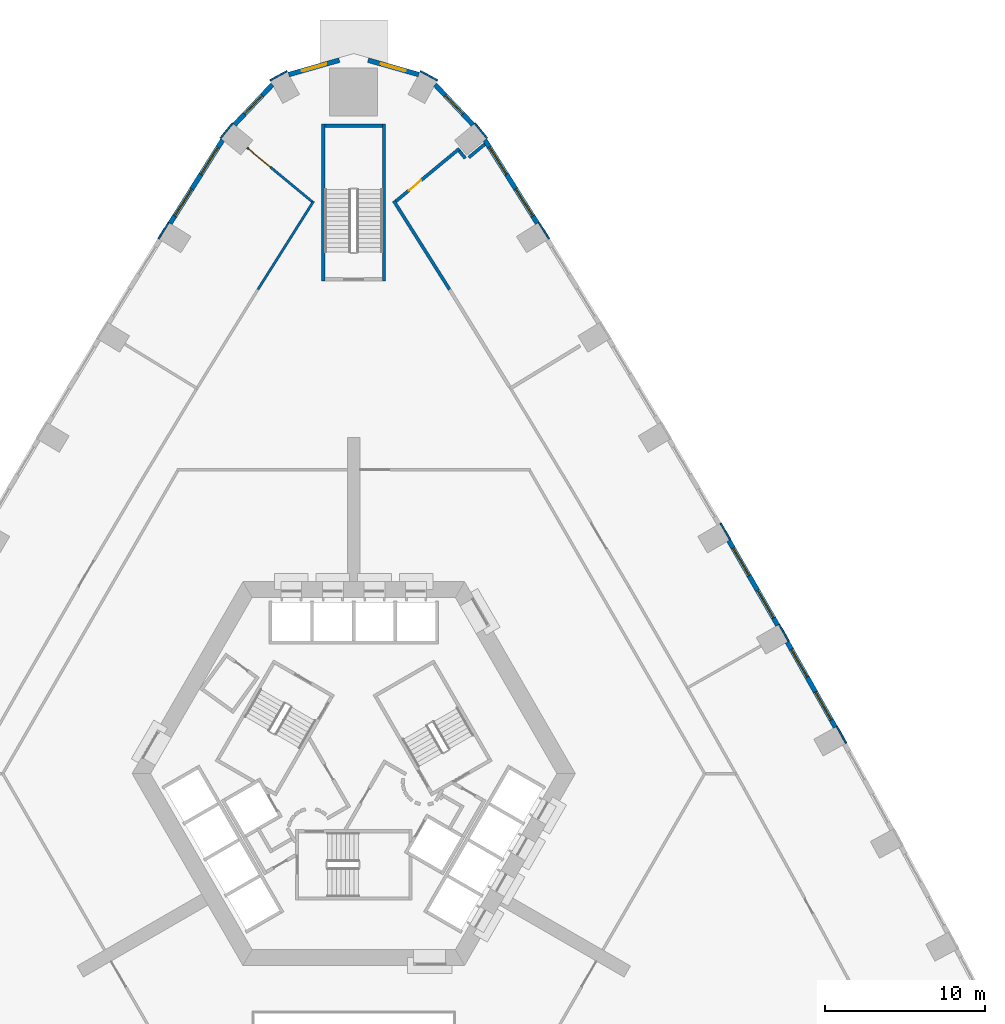
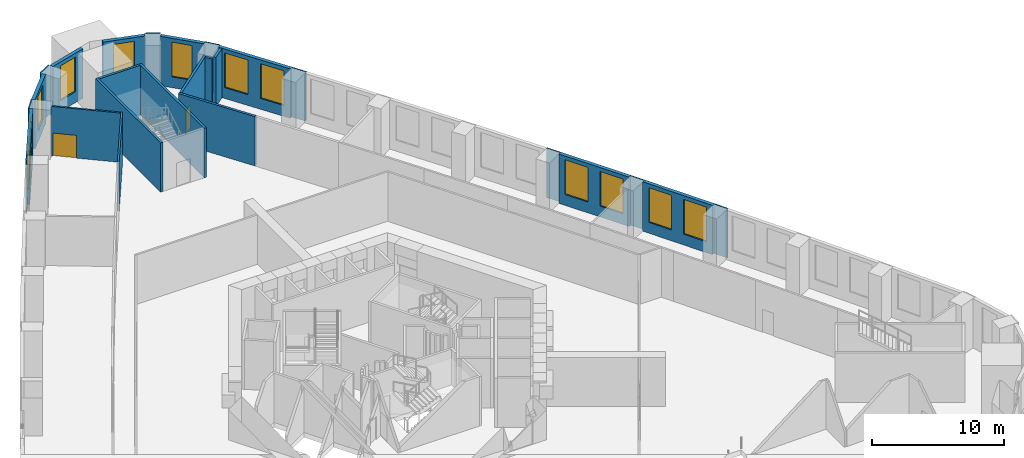
# One storey, part 8 of 16: 26 walls, 12 windows, 2 doors, 14 openings.
"""IFC4 building model written with IfcOpenShell, lengths in metres."""

from ifc_helpers import new_model, si_unit, direction, frame, frame_2d, origin, place, context, subcontext, project, spatial, rectangle, extrude, material, layer, layer_set, type_object, element, fill, save


model = new_model("IFC4")

# Units and contexts
model_context = context("Model", 3, precision=1e-05, world=origin(), true_north=direction((0.0, 1.0)))
body_context = subcontext(model_context, "Body", "Model", "MODEL_VIEW")
ifc_project = project(units=[si_unit("LENGTHUNIT", "METRE"), si_unit("AREAUNIT", "SQUARE_METRE"), si_unit("VOLUMEUNIT", "CUBIC_METRE"), si_unit("PLANEANGLEUNIT", "RADIAN"), si_unit("MASSUNIT", "GRAM", prefix="KILO")], contexts=[model_context])

# Site, building, storey
site_placement = place(None, origin())
site = spatial("IfcSite", under=ifc_project, at=site_placement, CompositionType="ELEMENT")
building_placement = place(site_placement, origin())
building = spatial("IfcBuilding", under=site, at=building_placement, Name="Entoto Arch Interchange Tower", CompositionType="ELEMENT")
storey_placement = place(building_placement, frame((0.0, 0.0, 20.0)))
storey = spatial("IfcBuildingStorey", under=building, at=storey_placement, Name="L03", CompositionType="ELEMENT", Elevation=20.0)

# Wall
ifc_material_1 = material(Name="Gypsum board partition on steel studs", Category="steel")
ifc_layer_1 = layer(ifc_material_1, 0.14990234375)
ifc_layer_set_1 = layer_set([ifc_layer_1], Name="Gypsum board partition on steel studs")
wall_type_1 = type_object("IfcWallType", Name="PARTITION 150", PredefinedType="PARTITIONING", material=ifc_layer_set_1)
wall_1_placement = place(storey_placement, frame((-2.513916015625, 38.280029296875, 0.0), z_axis=(0.0, 0.0, 1.0), x_axis=(-0.533358613661, -0.845889229884, 0.0)))
element("IfcWall", 1, at=wall_1_placement, inside=storey, type_object=wall_type_1, Name="wall:L03:p057", PredefinedType="PARTITIONING", context=body_context, shape_type="SweptSolid", body=[
    extrude(rectangle(XDim=6.517333984375, YDim=0.14990234375, at=frame_2d((3.2587890625, 0.0))), origin(), (0.0, 0.0, 1.0), 4.550048828125),
])

# Wall, opening, door
wall_2_placement = place(storey_placement, frame((-6.6669921875, 41.62109375, 0.0), z_axis=(0.0, 0.0, 1.0), x_axis=(0.770357397594, -0.637612327336, 0.0)))
wall_2 = element("IfcWall", 2, at=wall_2_placement, inside=storey, type_object=wall_type_1, Name="wall:L03:p059", PredefinedType="PARTITIONING", context=body_context, shape_type="SweptSolid", body=[
    extrude(rectangle(XDim=5.263671875, YDim=0.14990234375, at=frame_2d((2.6318359375, 0.0))), origin(), (0.0, 0.0, 1.0), 4.550048828125),
])
opening_1_placement = place(wall_2_placement, frame((0.10009765625, 0.0, 0.0)))
opening_1 = element("IfcOpeningElement", 3, at=opening_1_placement, cuts=wall_2, Name="Opening L03-D09", PredefinedType="OPENING", context=body_context, shape_type="SweptSolid", body=[
    extrude(rectangle(XDim=1.800048828125, YDim=2.10009765625, at=frame_2d((0.89990234375, 1.050048828125))), frame((0.0, 0.0849609375, 0.0), z_axis=(0.0, -1.0, 0.0), x_axis=(1.0, 0.0, 0.0)), (0.0, 0.0, 1.0), 0.169921875),
])
ifc_material_2 = material(Name="Timber door leaf in Steel S235 frame", Category="steel")
door_type_1 = type_object("IfcDoorType", Name="DOOR DD-18 1800x2100", OperationType="DOUBLE_DOOR_SINGLE_SWING", PredefinedType="DOOR", material=ifc_material_2)
door_1_placement = place(opening_1_placement, origin())
door_1 = element("IfcDoor", 4, at=door_1_placement, inside=storey, type_object=door_type_1, Name="door:L03:09", OperationType="DOUBLE_DOOR_SINGLE_SWING", OverallHeight=2.10009765625, OverallWidth=1.800048828125, PredefinedType="DOOR", context=body_context, shape_type="SweptSolid", body=[
    extrude(rectangle(XDim=1.800048828125, YDim=2.10009765625, at=frame_2d((0.89990234375, 1.050048828125))), frame((0.0, 0.02490234375, 0.0), z_axis=(0.0, -1.0, 0.0), x_axis=(1.0, 0.0, 0.0)), (0.0, 0.0, 1.0), 0.050048828125),
])
fill(opening_1, door_1)

# Wall
ifc_layer_2 = layer(ifc_material_1, 0.199951171875)
ifc_layer_set_2 = layer_set([ifc_layer_2], Name="Gypsum board partition on steel studs")
wall_type_2 = type_object("IfcWallType", Name="PARTITION 200", PredefinedType="PARTITIONING", material=ifc_layer_set_2)
wall_3_placement = place(storey_placement, frame((5.989990234375, 32.76708984375, 0.0), z_axis=(0.0, 0.0, 1.0), x_axis=(-0.533258548208, 0.845952315892, 0.0)))
element("IfcWall", 5, at=wall_3_placement, inside=storey, type_object=wall_type_2, Name="wall:L03:p051", PredefinedType="PARTITIONING", context=body_context, shape_type="SweptSolid", body=[
    extrude(rectangle(XDim=6.542724609375, YDim=0.199951171875, at=frame_2d((3.271484375, 0.0))), origin(), (0.0, 0.0, 1.0), 4.550048828125),
])

# Wall, opening, door
wall_4_placement = place(storey_placement, frame((2.631103515625, 38.281005859375, 0.0), z_axis=(0.0, 0.0, 1.0), x_axis=(0.770346235272, 0.637625813312, 0.0)))
wall_4 = element("IfcWall", 6, at=wall_4_placement, inside=storey, type_object=wall_type_2, Name="wall:L03:p052", PredefinedType="PARTITIONING", context=body_context, shape_type="SweptSolid", body=[
    extrude(rectangle(XDim=5.159912109375, YDim=0.199951171875, at=frame_2d((2.580078125, 0.0))), origin(), (0.0, 0.0, 1.0), 4.550048828125),
])
opening_2_placement = place(wall_4_placement, frame((1.05810546875, 0.0, 0.0)))
opening_2 = element("IfcOpeningElement", 7, at=opening_2_placement, cuts=wall_4, Name="Opening L03-D08", PredefinedType="OPENING", context=body_context, shape_type="SweptSolid", body=[
    extrude(rectangle(XDim=1.0, YDim=2.10009765625, at=frame_2d((0.5, 1.050048828125))), frame((0.0, 0.10986328125, 0.0), z_axis=(0.0, -1.0, 0.0), x_axis=(1.0, 0.0, 0.0)), (0.0, 0.0, 1.0), 0.219970703125),
])
door_type_2 = type_object("IfcDoorType", Name="DOOR DS-10 1000x2100", OperationType="SINGLE_SWING_LEFT", PredefinedType="DOOR", material=ifc_material_2)
door_2_placement = place(opening_2_placement, origin())
door_2 = element("IfcDoor", 8, at=door_2_placement, inside=storey, type_object=door_type_2, Name="door:L03:08", OperationType="SINGLE_SWING_LEFT", OverallHeight=2.10009765625, OverallWidth=1.0, PredefinedType="DOOR", context=body_context, shape_type="SweptSolid", body=[
    extrude(rectangle(XDim=1.0, YDim=2.10009765625, at=frame_2d((0.5, 1.050048828125))), frame((0.0, 0.02490234375, 0.0), z_axis=(0.0, -1.0, 0.0), x_axis=(1.0, 0.0, 0.0)), (0.0, 0.0, 1.0), 0.050048828125),
])
fill(opening_2, door_2)

# Walls
wall_5_placement = place(storey_placement, frame((6.593017578125, 41.429931640625, 0.0), z_axis=(0.0, 0.0, 1.0), x_axis=(0.636576557089, -0.771213515808, 0.0)))
element("IfcWall", 9, at=wall_5_placement, inside=storey, type_object=wall_type_2, Name="wall:L03:p053", PredefinedType="PARTITIONING", context=body_context, shape_type="SweptSolid", body=[
    extrude(rectangle(XDim=0.60009765625, YDim=0.199951171875, at=frame_2d((0.300048828125, 0.0))), origin(), (0.0, 0.0, 1.0), 4.550048828125),
])
wall_6_placement = place(storey_placement, frame((7.193115234375, 41.01806640625, 0.0), z_axis=(0.0, 0.0, 1.0), x_axis=(0.77046149962, 0.637486531311, 0.0)))
element("IfcWall", 10, at=wall_6_placement, inside=storey, type_object=wall_type_2, Name="wall:L03:p054", PredefinedType="PARTITIONING", context=body_context, shape_type="SweptSolid", body=[
    extrude(rectangle(XDim=1.29248046875, YDim=0.199951171875, at=frame_2d((0.646240234375, 0.0))), origin(), (0.0, 0.0, 1.0), 4.550048828125),
])
ifc_material_3 = material(Name="Concrete C40/50", Category="concrete")
ifc_layer_3 = layer(ifc_material_3, 0.199951171875)
ifc_layer_set_3 = layer_set([ifc_layer_3], Name="Concrete C40/50")
wall_type_3 = type_object("IfcWallType", Name="STAIR ENCLOSURE WALL 200", PredefinedType="STANDARD", material=ifc_layer_set_3)
for number, where, z_axis, x_axis, name in (
    (11, (1.89990234375, 33.300048828125, 0.0), (0.0, 0.0, 1.0), (0.0, 1.0, 0.0), "Stair wall PST-N left"),
    (12, (-1.89990234375, 33.300048828125, 0.0), (0.0, 0.0, 1.0), (0.0, 1.0, 0.0), "Stair wall PST-N right"),
):
    element("IfcWall", number, at=place(storey_placement, frame(where, z_axis=z_axis, x_axis=x_axis)), inside=storey, type_object=wall_type_3, Name=name, PredefinedType="STANDARD", context=body_context, shape_type="SweptSolid", body=[
        extrude(rectangle(XDim=9.800048828125, YDim=0.199951171875, at=frame_2d((4.89990234375, 0.0))), origin(), (0.0, 0.0, 1.0), 4.550048828125),
    ])
wall_7_placement = place(storey_placement, frame((1.800048828125, 43.0, 0.0), z_axis=(0.0, 0.0, 1.0), x_axis=(-1.0, 0.0, 0.0)))
element("IfcWall", 13, at=wall_7_placement, inside=storey, type_object=wall_type_3, Name="Stair wall PST-N far", PredefinedType="STANDARD", context=body_context, shape_type="SweptSolid", body=[
    extrude(rectangle(XDim=3.60009765625, YDim=0.199951171875, at=frame_2d((1.800048828125, 0.0))), origin(), (0.0, 0.0, 1.0), 4.550048828125),
])

# Wall, openings, windows
ifc_material_4 = material(Name="Welded tuff (ignimbrite) cladding, warm buff", Category="masonry")
ifc_layer_4 = layer(ifc_material_4, 0.300048828125)
ifc_layer_set_4 = layer_set([ifc_layer_4], Name="Welded tuff (ignimbrite) cladding, warm buff")
wall_type_4 = type_object("IfcWallType", Name="STONE INFILL WALL 300", PredefinedType="STANDARD", material=ifc_layer_set_4)
wall_8_placement = place(storey_placement, frame((30.111083984375, 5.39892578125, 0.0), z_axis=(0.0, 0.0, 1.0), x_axis=(-0.491661677717, 0.870786308267, 0.0)))
wall_8 = element("IfcWall", 14, at=wall_8_placement, inside=storey, type_object=wall_type_4, Name="Facade wall NE-04 L03", PredefinedType="STANDARD", context=body_context, shape_type="SweptSolid", body=[
    extrude(rectangle(XDim=6.1220703125, YDim=0.300048828125, at=frame_2d((3.06103515625, 0.0))), origin(), (0.0, 0.0, 1.0), 4.550048828125),
])
opening_3_placement = place(wall_8_placement, frame((0.531005859375, 0.0, 1.0)))
opening_3 = element("IfcOpeningElement", 15, at=opening_3_placement, cuts=wall_8, Name="Opening WP-E", PredefinedType="OPENING", context=body_context, shape_type="SweptSolid", body=[
    extrude(rectangle(XDim=2.0, YDim=3.199951171875, at=frame_2d((1.0, 1.60009765625))), frame((0.0, 0.16015625, 0.0), z_axis=(0.0, -1.0, 0.0), x_axis=(1.0, 0.0, 0.0)), (0.0, 0.0, 1.0), 0.320068359375),
])
opening_4_placement = place(wall_8_placement, frame((3.592041015625, 0.0, 1.0)))
opening_4 = element("IfcOpeningElement", 16, at=opening_4_placement, cuts=wall_8, Name="Opening WP-E", PredefinedType="OPENING", context=body_context, shape_type="SweptSolid", body=[
    extrude(rectangle(XDim=2.0, YDim=3.199951171875, at=frame_2d((1.0, 1.60009765625))), frame((0.0, 0.16015625, 0.0), z_axis=(0.0, -1.0, 0.0), x_axis=(1.0, 0.0, 0.0)), (0.0, 0.0, 1.0), 0.320068359375),
])
ifc_material_5 = material(Name="Clear glass, low-e double glazed", Category="glass")
window_type_1 = type_object("IfcWindowType", Name="WINDOW WP-E 2000x3200", PartitioningType="DOUBLE_PANEL_VERTICAL", PredefinedType="WINDOW", material=ifc_material_5)
window_1_placement = place(opening_3_placement, origin())
window_1 = element("IfcWindow", 17, at=window_1_placement, inside=storey, type_object=window_type_1, Name="Window WP-E NE-04 L03", OverallHeight=3.199951171875, OverallWidth=2.0, PartitioningType="SINGLE_PANEL", PredefinedType="WINDOW", context=body_context, shape_type="SweptSolid", body=[
    extrude(rectangle(XDim=2.0, YDim=3.199951171875, at=frame_2d((1.0, 1.60009765625))), frame((0.0, 0.030029296875, 0.0), z_axis=(0.0, -1.0, 0.0), x_axis=(1.0, 0.0, 0.0)), (0.0, 0.0, 1.0), 0.06005859375),
])
fill(opening_3, window_1)
window_2_placement = place(opening_4_placement, origin())
window_2 = element("IfcWindow", 18, at=window_2_placement, inside=storey, type_object=window_type_1, Name="Window WP-E NE-04 L03", OverallHeight=3.199951171875, OverallWidth=2.0, PartitioningType="SINGLE_PANEL", PredefinedType="WINDOW", context=body_context, shape_type="SweptSolid", body=[
    extrude(rectangle(XDim=2.0, YDim=3.199951171875, at=frame_2d((1.0, 1.60009765625))), frame((0.0, 0.030029296875, 0.0), z_axis=(0.0, -1.0, 0.0), x_axis=(1.0, 0.0, 0.0)), (0.0, 0.0, 1.0), 0.06005859375),
])
fill(opening_4, window_2)

wall_9_placement = place(storey_placement, frame((26.507080078125, 11.77001953125, 0.0), z_axis=(0.0, 0.0, 1.0), x_axis=(-0.499939977436, 0.866060055055, 0.0)))
wall_9 = element("IfcWall", 19, at=wall_9_placement, inside=storey, type_object=wall_type_4, Name="Facade wall NE-05 L03", PredefinedType="STANDARD", context=body_context, shape_type="SweptSolid", body=[
    extrude(rectangle(XDim=6.120849609375, YDim=0.300048828125, at=frame_2d((3.060546875, 0.0))), origin(), (0.0, 0.0, 1.0), 4.550048828125),
])
opening_5_placement = place(wall_9_placement, frame((0.530029296875, 0.0, 1.0)))
opening_5 = element("IfcOpeningElement", 20, at=opening_5_placement, cuts=wall_9, Name="Opening WP-E", PredefinedType="OPENING", context=body_context, shape_type="SweptSolid", body=[
    extrude(rectangle(XDim=2.0, YDim=3.199951171875, at=frame_2d((1.0, 1.60009765625))), frame((0.0, 0.16015625, 0.0), z_axis=(0.0, -1.0, 0.0), x_axis=(1.0, 0.0, 0.0)), (0.0, 0.0, 1.0), 0.320068359375),
])
opening_6_placement = place(wall_9_placement, frame((3.591064453125, 0.0, 1.0)))
opening_6 = element("IfcOpeningElement", 21, at=opening_6_placement, cuts=wall_9, Name="Opening WP-E", PredefinedType="OPENING", context=body_context, shape_type="SweptSolid", body=[
    extrude(rectangle(XDim=2.0, YDim=3.199951171875, at=frame_2d((1.0, 1.60009765625))), frame((0.0, 0.16015625, 0.0), z_axis=(0.0, -1.0, 0.0), x_axis=(1.0, 0.0, 0.0)), (0.0, 0.0, 1.0), 0.320068359375),
])
window_3_placement = place(opening_5_placement, origin())
window_3 = element("IfcWindow", 22, at=window_3_placement, inside=storey, type_object=window_type_1, Name="Window WP-E NE-05 L03", OverallHeight=3.199951171875, OverallWidth=2.0, PartitioningType="SINGLE_PANEL", PredefinedType="WINDOW", context=body_context, shape_type="SweptSolid", body=[
    extrude(rectangle(XDim=2.0, YDim=3.199951171875, at=frame_2d((1.0, 1.60009765625))), frame((0.0, 0.030029296875, 0.0), z_axis=(0.0, -1.0, 0.0), x_axis=(1.0, 0.0, 0.0)), (0.0, 0.0, 1.0), 0.06005859375),
])
fill(opening_5, window_3)
window_4_placement = place(opening_6_placement, origin())
window_4 = element("IfcWindow", 23, at=window_4_placement, inside=storey, type_object=window_type_1, Name="Window WP-E NE-05 L03", OverallHeight=3.199951171875, OverallWidth=2.0, PartitioningType="SINGLE_PANEL", PredefinedType="WINDOW", context=body_context, shape_type="SweptSolid", body=[
    extrude(rectangle(XDim=2.0, YDim=3.199951171875, at=frame_2d((1.0, 1.60009765625))), frame((0.0, 0.030029296875, 0.0), z_axis=(0.0, -1.0, 0.0), x_axis=(1.0, 0.0, 0.0)), (0.0, 0.0, 1.0), 0.06005859375),
])
fill(opening_6, window_4)

wall_10_placement = place(storey_placement, frame((11.48291015625, 36.89697265625, 0.0), z_axis=(0.0, 0.0, 1.0), x_axis=(-0.53304020879, 0.846089910006, 0.0)))
wall_10 = element("IfcWall", 24, at=wall_10_placement, inside=storey, type_object=wall_type_4, Name="Facade wall NE-09 L03", PredefinedType="STANDARD", context=body_context, shape_type="SweptSolid", body=[
    extrude(rectangle(XDim=6.16259765625, YDim=0.300048828125, at=frame_2d((3.081298828125, 0.0))), origin(), (0.0, 0.0, 1.0), 4.550048828125),
])
opening_7_placement = place(wall_10_placement, frame((0.541015625, 0.0, 1.0)))
opening_7 = element("IfcOpeningElement", 25, at=opening_7_placement, cuts=wall_10, Name="Opening WP-E", PredefinedType="OPENING", context=body_context, shape_type="SweptSolid", body=[
    extrude(rectangle(XDim=2.0, YDim=3.199951171875, at=frame_2d((1.0, 1.60009765625))), frame((0.0, 0.16015625, 0.0), z_axis=(0.0, -1.0, 0.0), x_axis=(1.0, 0.0, 0.0)), (0.0, 0.0, 1.0), 0.320068359375),
])
opening_8_placement = place(wall_10_placement, frame((3.6220703125, 0.0, 1.0)))
opening_8 = element("IfcOpeningElement", 26, at=opening_8_placement, cuts=wall_10, Name="Opening WP-E", PredefinedType="OPENING", context=body_context, shape_type="SweptSolid", body=[
    extrude(rectangle(XDim=2.0, YDim=3.199951171875, at=frame_2d((1.0, 1.60009765625))), frame((0.0, 0.16015625, 0.0), z_axis=(0.0, -1.0, 0.0), x_axis=(1.0, 0.0, 0.0)), (0.0, 0.0, 1.0), 0.320068359375),
])
window_5_placement = place(opening_7_placement, origin())
window_5 = element("IfcWindow", 27, at=window_5_placement, inside=storey, type_object=window_type_1, Name="Window WP-E NE-09 L03", OverallHeight=3.199951171875, OverallWidth=2.0, PartitioningType="SINGLE_PANEL", PredefinedType="WINDOW", context=body_context, shape_type="SweptSolid", body=[
    extrude(rectangle(XDim=2.0, YDim=3.199951171875, at=frame_2d((1.0, 1.60009765625))), frame((0.0, 0.030029296875, 0.0), z_axis=(0.0, -1.0, 0.0), x_axis=(1.0, 0.0, 0.0)), (0.0, 0.0, 1.0), 0.06005859375),
])
fill(opening_7, window_5)
window_6_placement = place(opening_8_placement, origin())
window_6 = element("IfcWindow", 28, at=window_6_placement, inside=storey, type_object=window_type_1, Name="Window WP-E NE-09 L03", OverallHeight=3.199951171875, OverallWidth=2.0, PartitioningType="SINGLE_PANEL", PredefinedType="WINDOW", context=body_context, shape_type="SweptSolid", body=[
    extrude(rectangle(XDim=2.0, YDim=3.199951171875, at=frame_2d((1.0, 1.60009765625))), frame((0.0, 0.030029296875, 0.0), z_axis=(0.0, -1.0, 0.0), x_axis=(1.0, 0.0, 0.0)), (0.0, 0.0, 1.0), 0.06005859375),
])
fill(opening_8, window_6)

# Wall, opening, window
wall_11_placement = place(storey_placement, frame((7.464111328125, 43.05810546875, 0.0), z_axis=(0.0, 0.0, 1.0), x_axis=(-0.687081126245, 0.726580708495, 0.0)))
wall_11 = element("IfcWall", 29, at=wall_11_placement, inside=storey, type_object=wall_type_4, Name="Facade wall N-01 L03", PredefinedType="STANDARD", context=body_context, shape_type="SweptSolid", body=[
    extrude(rectangle(XDim=3.461181640625, YDim=0.300048828125, at=frame_2d((1.73046875, 0.0))), origin(), (0.0, 0.0, 1.0), 4.550048828125),
])
opening_9_placement = place(wall_11_placement, frame((0.930908203125, 0.0, 1.0)))
opening_9 = element("IfcOpeningElement", 30, at=opening_9_placement, cuts=wall_11, Name="Opening WP-C", PredefinedType="OPENING", context=body_context, shape_type="SweptSolid", body=[
    extrude(rectangle(XDim=1.60009765625, YDim=3.199951171875, at=frame_2d((0.800048828125, 1.60009765625))), frame((0.0, 0.16015625, 0.0), z_axis=(0.0, -1.0, 0.0), x_axis=(1.0, 0.0, 0.0)), (0.0, 0.0, 1.0), 0.320068359375),
])
window_type_2 = type_object("IfcWindowType", Name="WINDOW WP-C 1600x3200", PartitioningType="DOUBLE_PANEL_VERTICAL", PredefinedType="WINDOW", material=ifc_material_5)
window_7_placement = place(opening_9_placement, origin())
window_7 = element("IfcWindow", 31, at=window_7_placement, inside=storey, type_object=window_type_2, Name="Window WP-C N-01 L03", OverallHeight=3.199951171875, OverallWidth=1.60009765625, PartitioningType="SINGLE_PANEL", PredefinedType="WINDOW", context=body_context, shape_type="SweptSolid", body=[
    extrude(rectangle(XDim=1.60009765625, YDim=3.199951171875, at=frame_2d((0.800048828125, 1.60009765625))), frame((0.0, 0.030029296875, 0.0), z_axis=(0.0, -1.0, 0.0), x_axis=(1.0, 0.0, 0.0)), (0.0, 0.0, 1.0), 0.06005859375),
])
fill(opening_9, window_7)

wall_12_placement = place(storey_placement, frame((4.06396484375, 46.201904296875, 0.0), z_axis=(0.0, 0.0, 1.0), x_axis=(-0.961934470867, 0.273280211062, 0.0)))
wall_12 = element("IfcWall", 32, at=wall_12_placement, inside=storey, type_object=wall_type_4, Name="Facade wall N-02 L03", PredefinedType="STANDARD", context=body_context, shape_type="SweptSolid", body=[
    extrude(rectangle(XDim=3.290283203125, YDim=0.300048828125, at=frame_2d((1.64501953125, 0.0))), origin(), (0.0, 0.0, 1.0), 4.550048828125),
])
opening_10_placement = place(wall_12_placement, frame((0.844970703125, 0.0, 1.0)))
opening_10 = element("IfcOpeningElement", 33, at=opening_10_placement, cuts=wall_12, Name="Opening WP-C", PredefinedType="OPENING", context=body_context, shape_type="SweptSolid", body=[
    extrude(rectangle(XDim=1.60009765625, YDim=3.199951171875, at=frame_2d((0.800048828125, 1.60009765625))), frame((0.0, 0.16015625, 0.0), z_axis=(0.0, -1.0, 0.0), x_axis=(1.0, 0.0, 0.0)), (0.0, 0.0, 1.0), 0.320068359375),
])
window_8_placement = place(opening_10_placement, origin())
window_8 = element("IfcWindow", 34, at=window_8_placement, inside=storey, type_object=window_type_2, Name="Window WP-C N-02 L03", OverallHeight=3.199951171875, OverallWidth=1.60009765625, PartitioningType="SINGLE_PANEL", PredefinedType="WINDOW", context=body_context, shape_type="SweptSolid", body=[
    extrude(rectangle(XDim=1.60009765625, YDim=3.199951171875, at=frame_2d((0.800048828125, 1.60009765625))), frame((0.0, 0.030029296875, 0.0), z_axis=(0.0, -1.0, 0.0), x_axis=(1.0, 0.0, 0.0)), (0.0, 0.0, 1.0), 0.06005859375),
])
fill(opening_10, window_8)

wall_13_placement = place(storey_placement, frame((-0.89892578125, 47.10107421875, 0.0), z_axis=(0.0, 0.0, 1.0), x_axis=(-0.961934470867, -0.273280211062, 0.0)))
wall_13 = element("IfcWall", 35, at=wall_13_placement, inside=storey, type_object=wall_type_4, Name="Facade wall N-03 L03", PredefinedType="STANDARD", context=body_context, shape_type="SweptSolid", body=[
    extrude(rectangle(XDim=3.290283203125, YDim=0.300048828125, at=frame_2d((1.64501953125, 0.0))), origin(), (0.0, 0.0, 1.0), 4.550048828125),
])
opening_11_placement = place(wall_13_placement, frame((0.844970703125, 0.0, 1.0)))
opening_11 = element("IfcOpeningElement", 36, at=opening_11_placement, cuts=wall_13, Name="Opening WP-C", PredefinedType="OPENING", context=body_context, shape_type="SweptSolid", body=[
    extrude(rectangle(XDim=1.60009765625, YDim=3.199951171875, at=frame_2d((0.800048828125, 1.60009765625))), frame((0.0, 0.16015625, 0.0), z_axis=(0.0, -1.0, 0.0), x_axis=(1.0, 0.0, 0.0)), (0.0, 0.0, 1.0), 0.320068359375),
])
window_9_placement = place(opening_11_placement, origin())
window_9 = element("IfcWindow", 37, at=window_9_placement, inside=storey, type_object=window_type_2, Name="Window WP-C N-03 L03", OverallHeight=3.199951171875, OverallWidth=1.60009765625, PartitioningType="SINGLE_PANEL", PredefinedType="WINDOW", context=body_context, shape_type="SweptSolid", body=[
    extrude(rectangle(XDim=1.60009765625, YDim=3.199951171875, at=frame_2d((0.800048828125, 1.60009765625))), frame((0.0, 0.030029296875, 0.0), z_axis=(0.0, -1.0, 0.0), x_axis=(1.0, 0.0, 0.0)), (0.0, 0.0, 1.0), 0.06005859375),
])
fill(opening_11, window_9)

wall_14_placement = place(storey_placement, frame((-5.0859375, 45.572998046875, 0.0), z_axis=(0.0, 0.0, 1.0), x_axis=(-0.687081126245, -0.726580708495, 0.0)))
wall_14 = element("IfcWall", 38, at=wall_14_placement, inside=storey, type_object=wall_type_4, Name="Facade wall N-04 L03", PredefinedType="STANDARD", context=body_context, shape_type="SweptSolid", body=[
    extrude(rectangle(XDim=3.461181640625, YDim=0.300048828125, at=frame_2d((1.73046875, 0.0))), origin(), (0.0, 0.0, 1.0), 4.550048828125),
])
opening_12_placement = place(wall_14_placement, frame((0.930908203125, 0.0, 1.0)))
opening_12 = element("IfcOpeningElement", 39, at=opening_12_placement, cuts=wall_14, Name="Opening WP-C", PredefinedType="OPENING", context=body_context, shape_type="SweptSolid", body=[
    extrude(rectangle(XDim=1.60009765625, YDim=3.199951171875, at=frame_2d((0.800048828125, 1.60009765625))), frame((0.0, 0.16015625, 0.0), z_axis=(0.0, -1.0, 0.0), x_axis=(1.0, 0.0, 0.0)), (0.0, 0.0, 1.0), 0.320068359375),
])
window_10_placement = place(opening_12_placement, origin())
window_10 = element("IfcWindow", 40, at=window_10_placement, inside=storey, type_object=window_type_2, Name="Window WP-C N-04 L03", OverallHeight=3.199951171875, OverallWidth=1.60009765625, PartitioningType="SINGLE_PANEL", PredefinedType="WINDOW", context=body_context, shape_type="SweptSolid", body=[
    extrude(rectangle(XDim=1.60009765625, YDim=3.199951171875, at=frame_2d((0.800048828125, 1.60009765625))), frame((0.0, 0.030029296875, 0.0), z_axis=(0.0, -1.0, 0.0), x_axis=(1.0, 0.0, 0.0)), (0.0, 0.0, 1.0), 0.06005859375),
])
fill(opening_12, window_10)

# Wall, openings, windows
wall_15_placement = place(storey_placement, frame((-8.197998046875, 42.111083984375, 0.0), z_axis=(0.0, 0.0, 1.0), x_axis=(-0.53304020879, -0.846089910006, 0.0)))
wall_15 = element("IfcWall", 41, at=wall_15_placement, inside=storey, type_object=wall_type_4, Name="Facade wall NW-01 L03", PredefinedType="STANDARD", context=body_context, shape_type="SweptSolid", body=[
    extrude(rectangle(XDim=6.16259765625, YDim=0.300048828125, at=frame_2d((3.081298828125, 0.0))), origin(), (0.0, 0.0, 1.0), 4.550048828125),
])
opening_13_placement = place(wall_15_placement, frame((0.541015625, 0.0, 1.0)))
opening_13 = element("IfcOpeningElement", 42, at=opening_13_placement, cuts=wall_15, Name="Opening WP-E", PredefinedType="OPENING", context=body_context, shape_type="SweptSolid", body=[
    extrude(rectangle(XDim=2.0, YDim=3.199951171875, at=frame_2d((1.0, 1.60009765625))), frame((0.0, 0.16015625, 0.0), z_axis=(0.0, -1.0, 0.0), x_axis=(1.0, 0.0, 0.0)), (0.0, 0.0, 1.0), 0.320068359375),
])
opening_14_placement = place(wall_15_placement, frame((3.6220703125, 0.0, 1.0)))
opening_14 = element("IfcOpeningElement", 43, at=opening_14_placement, cuts=wall_15, Name="Opening WP-E", PredefinedType="OPENING", context=body_context, shape_type="SweptSolid", body=[
    extrude(rectangle(XDim=2.0, YDim=3.199951171875, at=frame_2d((1.0, 1.60009765625))), frame((0.0, 0.16015625, 0.0), z_axis=(0.0, -1.0, 0.0), x_axis=(1.0, 0.0, 0.0)), (0.0, 0.0, 1.0), 0.320068359375),
])
window_11_placement = place(opening_13_placement, origin())
window_11 = element("IfcWindow", 44, at=window_11_placement, inside=storey, type_object=window_type_1, Name="Window WP-E NW-01 L03", OverallHeight=3.199951171875, OverallWidth=2.0, PartitioningType="SINGLE_PANEL", PredefinedType="WINDOW", context=body_context, shape_type="SweptSolid", body=[
    extrude(rectangle(XDim=2.0, YDim=3.199951171875, at=frame_2d((1.0, 1.60009765625))), frame((0.0, 0.030029296875, 0.0), z_axis=(0.0, -1.0, 0.0), x_axis=(1.0, 0.0, 0.0)), (0.0, 0.0, 1.0), 0.06005859375),
])
fill(opening_13, window_11)
window_12_placement = place(opening_14_placement, origin())
window_12 = element("IfcWindow", 45, at=window_12_placement, inside=storey, type_object=window_type_1, Name="Window WP-E NW-01 L03", OverallHeight=3.199951171875, OverallWidth=2.0, PartitioningType="SINGLE_PANEL", PredefinedType="WINDOW", context=body_context, shape_type="SweptSolid", body=[
    extrude(rectangle(XDim=2.0, YDim=3.199951171875, at=frame_2d((1.0, 1.60009765625))), frame((0.0, 0.030029296875, 0.0), z_axis=(0.0, -1.0, 0.0), x_axis=(1.0, 0.0, 0.0)), (0.0, 0.0, 1.0), 0.06005859375),
])
fill(opening_14, window_12)

# Walls
ifc_layer_5 = layer(ifc_material_4, 0.10009765625)
ifc_layer_set_5 = layer_set([ifc_layer_5], Name="Welded tuff (ignimbrite) cladding, warm buff")
wall_type_5 = type_object("IfcWallType", Name="STONE PIER CLADDING 100", PredefinedType="STANDARD", material=ifc_layer_set_5)
for number, where, z_axis, x_axis, name in (
    (46, (5.23095703125, 45.8369140625, 0.0), (0.0, 0.0, 1.0), (-0.877069725045, 0.480363089141, 0.0), "Stone pier N1 L03"),
    (47, (-4.178955078125, 46.4130859375, 0.0), (0.0, 0.0, 1.0), (-0.877069725045, -0.480363089141, 0.0), "Stone pier N3 L03"),
):
    element("IfcWall", number, at=place(storey_placement, frame(where, z_axis=z_axis, x_axis=x_axis)), inside=storey, type_object=wall_type_5, Name=name, PredefinedType="STANDARD", context=body_context, shape_type="SweptSolid", body=[
        extrude(rectangle(XDim=1.199462890625, YDim=0.10009765625, at=frame_2d((0.599609375, 0.0))), origin(), (0.0, 0.0, 1.0), 4.550048828125),
    ])
wall_16_placement = place(storey_placement, frame((30.783935546875, 4.402099609375, 0.0), z_axis=(0.0, 0.0, 1.0), x_axis=(-0.486817526853, 0.873503689488, 0.0)))
element("IfcWall", 48, at=wall_16_placement, inside=storey, type_object=wall_type_5, Name="Stone pier NE04 L03", PredefinedType="STANDARD", context=body_context, shape_type="SweptSolid", body=[
    extrude(rectangle(XDim=1.19970703125, YDim=0.10009765625, at=frame_2d((0.599853515625, 0.0))), origin(), (0.0, 0.0, 1.0), 4.550048828125),
])
wall_17_placement = place(storey_placement, frame((27.19091796875, 10.780029296875, 0.0), z_axis=(0.0, 0.0, 1.0), x_axis=(-0.495854054996, 0.868405870629, 0.0)))
element("IfcWall", 49, at=wall_17_placement, inside=storey, type_object=wall_type_5, Name="Stone pier NE05 L03", PredefinedType="STANDARD", context=body_context, shape_type="SweptSolid", body=[
    extrude(rectangle(XDim=1.199951171875, YDim=0.10009765625, at=frame_2d((0.60009765625, 0.0))), origin(), (0.0, 0.0, 1.0), 4.550048828125),
])
wall_18_placement = place(storey_placement, frame((23.535888671875, 17.1220703125, 0.0), z_axis=(0.0, 0.0, 1.0), x_axis=(-0.504313844903, 0.863520437418, 0.0)))
element("IfcWall", 50, at=wall_18_placement, inside=storey, type_object=wall_type_5, Name="Stone pier NE06 L03", PredefinedType="STANDARD", context=body_context, shape_type="SweptSolid", body=[
    extrude(rectangle(XDim=1.19970703125, YDim=0.10009765625, at=frame_2d((0.599853515625, 0.0))), origin(), (0.0, 0.0, 1.0), 4.550048828125),
])
for number, where, z_axis, x_axis, name in (
    (51, (12.2060546875, 35.93505859375, 0.0), (0.0, 0.0, 1.0), (-0.530273374944, 0.847826720401, 0.0), "Stone pier NE09 L03"),
    (52, (8.3359375, 42.22412109375, 0.0), (0.0, 0.0, 1.0), (-0.637738500874, 0.77025294839, 0.0), "Stone pier NE10 L03"),
    (53, (-7.571044921875, 43.14794921875, 0.0), (0.0, 0.0, 1.0), (-0.637738500874, -0.77025294839, 0.0), "Stone pier NW01 L03"),
    (54, (-11.570068359375, 36.951904296875, 0.0), (0.0, 0.0, 1.0), (-0.530273374944, -0.847826720401, 0.0), "Stone pier NW02 L03"),
):
    element("IfcWall", number, at=place(storey_placement, frame(where, z_axis=z_axis, x_axis=x_axis)), inside=storey, type_object=wall_type_5, Name=name, PredefinedType="STANDARD", context=body_context, shape_type="SweptSolid", body=[
        extrude(rectangle(XDim=1.199462890625, YDim=0.10009765625, at=frame_2d((0.599609375, 0.0))), origin(), (0.0, 0.0, 1.0), 4.550048828125),
    ])

save(model, "model.ifc")
